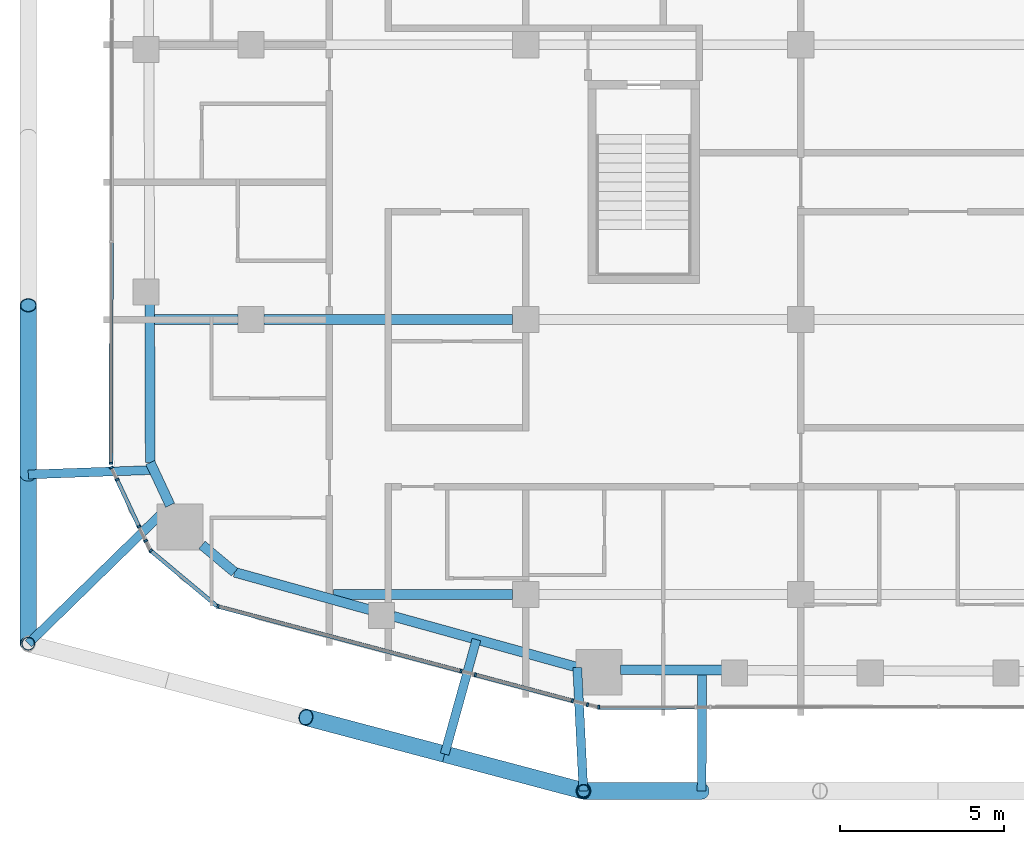
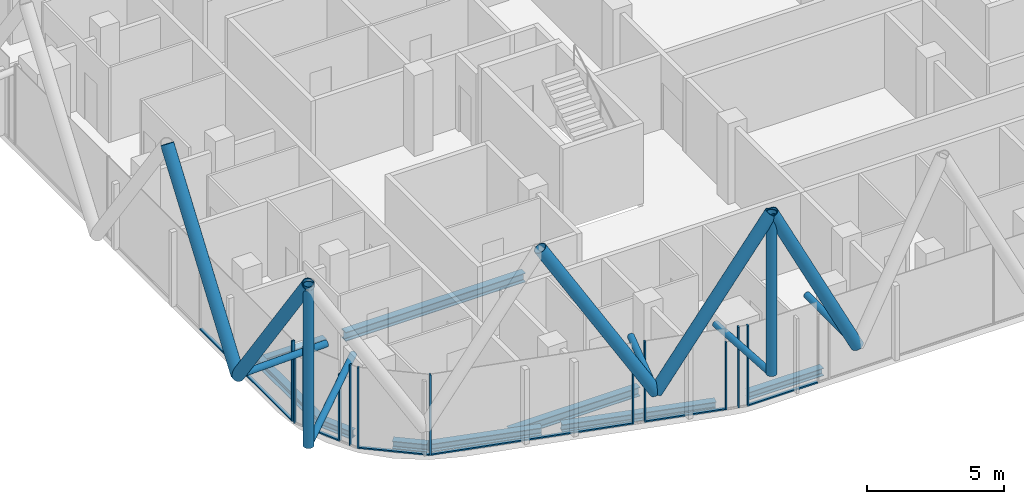
# One storey, part 2 of 31: 30 members, 9 beams, 12 elements without a shape of their own.
"""IFC4 building model written with IfcOpenShell, lengths in metres."""

from ifc_helpers import new_model, si_unit, direction, frame, origin, origin_2d, place, context, subcontext, project, spatial, rectangle, hollow_circle, i_section, extrude, material, layer, layer_set, material_profile, profile_set, type_object, element, aggregate, save


model = new_model("IFC4")

# Units and contexts
model_context = context("Model", 3, precision=1e-05, world=origin(), true_north=direction((0.0, 1.0)))
body_context = subcontext(model_context, "Body", "Model", "MODEL_VIEW")
ifc_project = project(units=[si_unit("LENGTHUNIT", "METRE"), si_unit("AREAUNIT", "SQUARE_METRE"), si_unit("VOLUMEUNIT", "CUBIC_METRE"), si_unit("PLANEANGLEUNIT", "RADIAN"), si_unit("MASSUNIT", "GRAM", prefix="KILO")], contexts=[model_context])

# Site, building, storey
site_placement = place(None, origin())
site = spatial("IfcSite", under=ifc_project, at=site_placement, CompositionType="ELEMENT")
building_placement = place(site_placement, origin())
building = spatial("IfcBuilding", under=site, at=building_placement, Name="Marenta Gate Hotel Tower", CompositionType="ELEMENT")
storey_placement = place(building_placement, frame((0.0, 0.0, 205.699951171875)))
storey = spatial("IfcBuildingStorey", under=building, at=storey_placement, Name="L47", CompositionType="ELEMENT", Elevation=205.699951171875)

# Members
ifc_material_1 = material(Name="Steel S355J2W", Category="steel")
ifc_material_profile_1 = material_profile(ifc_material_1, hollow_circle(Radius=0.203125, WallThickness=0.02490234375, at=origin_2d()), Name="CHS 406.4x25")
ifc_profile_set_1 = profile_set([ifc_material_profile_1], Name="Steel S355J2W")
member_type_1 = type_object("IfcMemberType", Name="Diagrid corner post Z3 CHS 406.4x25", PredefinedType="POST", material=ifc_profile_set_1)
for number, where, z_axis, x_axis, name in (
    (1, (-10.839111328125, -31.199951171875, 3.14013671875), (0.0, 0.0, 1.0), (1.0, 0.0, 0.0), "L47-DR-4"),
    (2, (-27.800048828125, -26.7001953125, 3.14013671875), (0.0, 0.0, 1.0), (1.0, 0.0, 0.0), "L47-DR-5"),
):
    element("IfcMember", number, at=place(storey_placement, frame(where, z_axis=z_axis, x_axis=x_axis)), inside=storey, type_object=member_type_1, Name=name, PredefinedType="POST", context=body_context, shape_type="SweptSolid", body=[
        extrude(hollow_circle(Radius=0.203125, WallThickness=0.02490234375, at=origin_2d()), origin(), (0.0, 0.0, 1.0), 7.199951171875),
    ])
ifc_material_2 = material(Name="Steel S355J2W", Category="steel")
ifc_material_profile_2 = material_profile(ifc_material_2, hollow_circle(Radius=0.25390625, WallThickness=0.02490234375, at=origin_2d()), Name="CHS 508x25")
ifc_profile_set_2 = profile_set([ifc_material_profile_2], Name="Steel S355J2W")
member_type_2 = type_object("IfcMemberType", Name="Diagrid diagonal Z3 CHS 508x25", PredefinedType="BRACE", material=ifc_profile_set_2)
member_1_placement = place(storey_placement, frame((-7.22607421875, -31.199951171875, 3.14013671875), z_axis=(-0.44851025603, 0.0, 0.893777685018), x_axis=(0.0, -1.0, 0.0)))
element("IfcMember", 3, at=member_1_placement, inside=storey, type_object=member_type_2, Name="L47-DG-20", PredefinedType="BRACE", context=body_context, shape_type="SweptSolid", body=[
    extrude(hollow_circle(Radius=0.25390625, WallThickness=0.02490234375, at=origin_2d()), origin(), (0.0, 0.0, 1.0), 8.0556640625),
])
for number, where, z_axis, x_axis, name in (
    (4, (-15.079345703125, -30.074951171875, 3.14013671875), (0.502924018666, -0.133433548941, 0.853968921838), (0.256443187528, 0.96655930577, 0.0), "L47-DG-21"),
    (5, (-15.079345703125, -30.074951171875, 3.14013671875), (-0.502925961678, 0.133405107407, 0.853972221087), (-0.256391194513, -0.966573098827, 0.0), "L47-DG-22"),
):
    element("IfcMember", number, at=place(storey_placement, frame(where, z_axis=z_axis, x_axis=x_axis)), inside=storey, type_object=member_type_2, Name=name, PredefinedType="BRACE", context=body_context, shape_type="SweptSolid", body=[
        extrude(hollow_circle(Radius=0.25390625, WallThickness=0.02490234375, at=origin_2d()), origin(), (0.0, 0.0, 1.0), 8.43115234375),
    ])
member_2_placement = place(storey_placement, frame((-27.800048828125, -21.530029296875, 3.14013671875), z_axis=(0.0, -0.583279014058, 0.812271870595), x_axis=(1.0, 0.0, 0.0)))
element("IfcMember", 6, at=member_2_placement, inside=storey, type_object=member_type_2, Name="L47-DG-25", PredefinedType="BRACE", context=body_context, shape_type="SweptSolid", body=[
    extrude(hollow_circle(Radius=0.25390625, WallThickness=0.02490234375, at=origin_2d()), origin(), (0.0, 0.0, 1.0), 8.864013671875),
])
member_3_placement = place(storey_placement, frame((-27.800048828125, -21.530029296875, 3.14013671875), z_axis=(0.0, 0.583260841117, 0.812284919975), x_axis=(-1.0, 0.0, 0.0)))
element("IfcMember", 7, at=member_3_placement, inside=storey, type_object=member_type_2, Name="L47-DG-26", PredefinedType="BRACE", context=body_context, shape_type="SweptSolid", body=[
    extrude(hollow_circle(Radius=0.25390625, WallThickness=0.02490234375, at=origin_2d()), origin(), (0.0, 0.0, 1.0), 8.86376953125),
])

# Beams
ifc_material_3 = material(Name="Steel S355", Category="steel")
ifc_material_profile_3 = material_profile(ifc_material_3, i_section(OverallWidth=0.300048828125, OverallDepth=0.340087890625, WebThickness=0.011962890625, FlangeThickness=0.021484375, FilletRadius=0.027099609375, at=origin_2d()), Name="HEB 340")
ifc_profile_set_3 = profile_set([ifc_material_profile_3], Name="Steel S355")
beam_type_1 = type_object("IfcBeamType", Name="Edge beam HEB 340", PredefinedType="SPANDREL", material=ifc_profile_set_3)
beam_1_placement = place(storey_placement, frame((-11.02783203125, -27.42236328125, -0.429931640625), z_axis=(-0.963619240724, 0.267278803699, 0.0), x_axis=(-0.267278803699, -0.963619240724, 0.0)))
element("IfcBeam", 8, at=beam_1_placement, inside=storey, type_object=beam_type_1, Name="L47-EB-1", PredefinedType="SPANDREL", context=body_context, shape_type="SweptSolid", body=[
    extrude(i_section(OverallWidth=0.300048828125, OverallDepth=0.340087890625, WebThickness=0.011962890625, FlangeThickness=0.021484375, FilletRadius=0.027099609375, at=origin_2d()), origin(), (0.0, 0.0, 1.0), 5.82958984375),
])
beam_2_placement = place(storey_placement, frame((-17.3681640625, -25.663818359375, -0.429931640625), z_axis=(-0.963628037304, 0.267247087396, 0.0), x_axis=(-0.267247087396, -0.963628037304, 0.0)))
element("IfcBeam", 9, at=beam_2_placement, inside=storey, type_object=beam_type_1, Name="L47-EB-2", PredefinedType="SPANDREL", context=body_context, shape_type="SweptSolid", body=[
    extrude(i_section(OverallWidth=0.300048828125, OverallDepth=0.340087890625, WebThickness=0.011962890625, FlangeThickness=0.021484375, FilletRadius=0.027099609375, at=origin_2d()), origin(), (0.0, 0.0, 1.0), 4.284423828125),
])
beam_3_placement = place(storey_placement, frame((-21.496826171875, -24.518798828125, -0.429931640625), z_axis=(-0.767065103149, 0.641569269472, 0.0), x_axis=(-0.641569269472, -0.767065103149, 0.0)))
element("IfcBeam", 10, at=beam_3_placement, inside=storey, type_object=beam_type_1, Name="L47-EB-3", PredefinedType="SPANDREL", context=body_context, shape_type="SweptSolid", body=[
    extrude(i_section(OverallWidth=0.300048828125, OverallDepth=0.340087890625, WebThickness=0.011962890625, FlangeThickness=0.021484375, FilletRadius=0.027099609375, at=origin_2d()), origin(), (0.0, 0.0, 1.0), 1.299560546875),
])
beam_4_placement = place(storey_placement, frame((-23.466796875, -22.46923828125, -0.429931640625), z_axis=(-0.423341112024, 0.905970365338, 0.0), x_axis=(-0.905970365338, -0.423341112024, 0.0)))
element("IfcBeam", 11, at=beam_4_placement, inside=storey, type_object=beam_type_1, Name="L47-EB-4", PredefinedType="SPANDREL", context=body_context, shape_type="SweptSolid", body=[
    extrude(i_section(OverallWidth=0.300048828125, OverallDepth=0.340087890625, WebThickness=0.011962890625, FlangeThickness=0.021484375, FilletRadius=0.027099609375, at=origin_2d()), origin(), (0.0, 0.0, 1.0), 1.437255859375),
])
beam_5_placement = place(storey_placement, frame((-24.0751953125, -21.167236328125, -0.429931640625), z_axis=(-0.003318732666, 0.999994492992, 0.0), x_axis=(-0.999994492992, -0.003318732666, 0.0)))
element("IfcBeam", 12, at=beam_5_placement, inside=storey, type_object=beam_type_1, Name="L47-EB-5", PredefinedType="SPANDREL", context=body_context, shape_type="SweptSolid", body=[
    extrude(i_section(OverallWidth=0.300048828125, OverallDepth=0.340087890625, WebThickness=0.011962890625, FlangeThickness=0.021484375, FilletRadius=0.027099609375, at=origin_2d()), origin(), (0.0, 0.0, 1.0), 4.855224609375),
])
beam_6_placement = place(storey_placement, frame((-6.580078125, -27.507568359375, -0.429931640625), z_axis=(-0.99999237665, 0.00390469495, 0.0), x_axis=(-0.00390469495, -0.99999237665, 0.0)))
element("IfcBeam", 13, at=beam_6_placement, inside=storey, type_object=beam_type_1, Name="L47-EB-36", PredefinedType="SPANDREL", context=body_context, shape_type="SweptSolid", body=[
    extrude(i_section(OverallWidth=0.300048828125, OverallDepth=0.340087890625, WebThickness=0.011962890625, FlangeThickness=0.021484375, FilletRadius=0.027099609375, at=origin_2d()), origin(), (0.0, 0.0, 1.0), 3.126220703125),
])

# Members
ifc_material_4 = material(Name="Steel S355J2W", Category="steel")
ifc_material_profile_4 = material_profile(ifc_material_4, hollow_circle(Radius=0.136474609375, WallThickness=0.012451171875, at=origin_2d()), Name="CHS 273x12.5")
ifc_profile_set_4 = profile_set([ifc_material_profile_4], Name="Steel S355J2W")
member_type_3 = type_object("IfcMemberType", Name="Floor tie CHS 273x12.5", PredefinedType="STRUT", material=ifc_profile_set_4)
member_4_placement = place(storey_placement, frame((-7.22607421875, -31.199951171875, 3.14013671875), z_axis=(0.00383848926, 0.999992632973, 0.0), x_axis=(-0.999992632973, 0.00383848926, 0.0)))
element("IfcMember", 14, at=member_4_placement, inside=storey, type_object=member_type_3, Name="L47-DR-15", PredefinedType="STRUT", context=body_context, shape_type="SweptSolid", body=[
    extrude(hollow_circle(Radius=0.136474609375, WallThickness=0.012451171875, at=origin_2d()), origin(), (0.0, 0.0, 1.0), 3.68896484375),
])
member_5_placement = place(storey_placement, frame((-10.839111328125, -31.199951171875, 3.14013671875), z_axis=(-0.049850547476, 0.998756688546, 0.0), x_axis=(-0.998756688546, -0.049850547476, 0.0)))
element("IfcMember", 15, at=member_5_placement, inside=storey, type_object=member_type_3, Name="L47-DR-16", PredefinedType="STRUT", context=body_context, shape_type="SweptSolid", body=[
    extrude(hollow_circle(Radius=0.136474609375, WallThickness=0.012451171875, at=origin_2d()), origin(), (0.0, 0.0, 1.0), 3.77587890625),
])
member_6_placement = place(storey_placement, frame((-15.079345703125, -30.074951171875, 3.14013671875), z_axis=(0.267266043372, 0.963622779961, 0.0), x_axis=(-0.963622779961, 0.267266043372, 0.0)))
element("IfcMember", 16, at=member_6_placement, inside=storey, type_object=member_type_3, Name="L47-DR-17", PredefinedType="STRUT", context=body_context, shape_type="SweptSolid", body=[
    extrude(hollow_circle(Radius=0.136474609375, WallThickness=0.012451171875, at=origin_2d()), origin(), (0.0, 0.0, 1.0), 3.6328125),
])
member_7_placement = place(storey_placement, frame((-27.800048828125, -26.7001953125, 3.14013671875), z_axis=(0.715510328178, 0.698602154499, 0.0), x_axis=(-0.698602154499, 0.715510328178, 0.0)))
element("IfcMember", 17, at=member_7_placement, inside=storey, type_object=member_type_3, Name="L47-DR-18", PredefinedType="STRUT", context=body_context, shape_type="SweptSolid", body=[
    extrude(hollow_circle(Radius=0.136474609375, WallThickness=0.012451171875, at=origin_2d()), origin(), (0.0, 0.0, 1.0), 6.050048828125),
])
member_8_placement = place(storey_placement, frame((-27.800048828125, -21.530029296875, 3.14013671875), z_axis=(0.999366101167, 0.035600503349, 0.0), x_axis=(-0.035600503349, 0.999366101167, 0.0)))
element("IfcMember", 18, at=member_8_placement, inside=storey, type_object=member_type_3, Name="L47-DR-19", PredefinedType="STRUT", context=body_context, shape_type="SweptSolid", body=[
    extrude(hollow_circle(Radius=0.136474609375, WallThickness=0.012451171875, at=origin_2d()), origin(), (0.0, 0.0, 1.0), 3.82666015625),
])

# Beams
ifc_material_5 = material(Name="Steel S355", Category="steel")
ifc_material_profile_5 = material_profile(ifc_material_5, i_section(OverallWidth=0.300048828125, OverallDepth=0.39990234375, WebThickness=0.013427734375, FlangeThickness=0.02392578125, FilletRadius=0.027099609375, at=origin_2d()), Name="HEB 400")
ifc_profile_set_5 = profile_set([ifc_material_profile_5], Name="Steel S355")
beam_type_2 = type_object("IfcBeamType", Name="Girder HEB 400", PredefinedType="BEAM", material=ifc_profile_set_5)
beam_7_placement = place(storey_placement, frame((-18.479248046875, -25.199951171875, -0.4599609375), z_axis=(1.0, 0.0, 0.0), x_axis=(0.0, 1.0, 0.0)))
element("IfcBeam", 19, at=beam_7_placement, inside=storey, type_object=beam_type_2, Name="L47-GD-1", PredefinedType="BEAM", context=body_context, shape_type="SweptSolid", body=[
    extrude(i_section(OverallWidth=0.300048828125, OverallDepth=0.39990234375, WebThickness=0.013427734375, FlangeThickness=0.02392578125, FilletRadius=0.027099609375, at=origin_2d()), origin(), (0.0, 0.0, 1.0), 5.479248046875),
])
beam_8_placement = place(storey_placement, frame((-23.939697265625, -16.800048828125, -0.4599609375), z_axis=(1.0, 0.0, 0.0), x_axis=(0.0, 1.0, 0.0)))
element("IfcBeam", 20, at=beam_8_placement, inside=storey, type_object=beam_type_2, Name="L47-GD-6", PredefinedType="BEAM", context=body_context, shape_type="SweptSolid", body=[
    extrude(i_section(OverallWidth=0.300048828125, OverallDepth=0.39990234375, WebThickness=0.013427734375, FlangeThickness=0.02392578125, FilletRadius=0.027099609375, at=origin_2d()), origin(), (0.0, 0.0, 1.0), 2.539794921875),
])
beam_9_placement = place(storey_placement, frame((-20.60009765625, -16.800048828125, -0.4599609375), z_axis=(1.0, 0.0, 0.0), x_axis=(0.0, 1.0, 0.0)))
element("IfcBeam", 21, at=beam_9_placement, inside=storey, type_object=beam_type_2, Name="L47-GD-7", PredefinedType="BEAM", context=body_context, shape_type="SweptSolid", body=[
    extrude(i_section(OverallWidth=0.300048828125, OverallDepth=0.39990234375, WebThickness=0.013427734375, FlangeThickness=0.02392578125, FilletRadius=0.027099609375, at=origin_2d()), origin(), (0.0, 0.0, 1.0), 7.60009765625),
])

# Curtain wall, member
ifc_material_6 = material(Name="Tinted insulated glass in bronze anodised frame", Category="glass")
ifc_layer = layer(ifc_material_6, 0.1201171875)
ifc_layer_set = layer_set([ifc_layer], Name="Tinted insulated glass in bronze anodised frame")
curtain_wall_type = type_object("IfcCurtainWallType", Name="Tower unitised curtain wall CW1", PredefinedType="NOTDEFINED", material=ifc_layer_set)
curtain_wall_1_placement = place(storey_placement, origin())
curtain_wall_1 = element("IfcCurtainWall", 22, at=curtain_wall_1_placement, inside=storey, type_object=curtain_wall_type, Name="CW1 run G08", PredefinedType="NOTDEFINED")
ifc_material_7 = material(Name="Bronze anodised aluminium", Category="aluminium")
ifc_material_profile_6 = material_profile(ifc_material_7, rectangle(XDim=0.1201171875, YDim=0.06005859375, at=origin_2d()), Name="Mullion CW1 60x120 bronze anodised aluminium")
ifc_profile_set_6 = profile_set([ifc_material_profile_6], Name="Bronze anodised aluminium")
member_type_4 = type_object("IfcMemberType", Name="Mullion CW1 60x120 bronze anodised aluminium", PredefinedType="MULLION", material=ifc_profile_set_6)
member_9_placement = place(storey_placement, frame((-25.27294921875, -21.18359375, 0.0), z_axis=(0.0, 0.0, 1.0), x_axis=(0.999998775932, -0.001564651623, 0.0)))
member_9 = element("IfcMember", 23, at=member_9_placement, type_object=member_type_4, Name="CW1 mullion 4", PredefinedType="MULLION", context=body_context, shape_type="SweptSolid", body=[
    extrude(rectangle(XDim=0.1201171875, YDim=0.06005859375, at=origin_2d()), origin(), (0.0, 0.0, 1.0), 3.60009765625),
])

curtain_wall_2_placement = place(storey_placement, origin())
curtain_wall_2 = element("IfcCurtainWall", 24, at=curtain_wall_2_placement, inside=storey, type_object=curtain_wall_type, Name="CW1 run G09", PredefinedType="NOTDEFINED")
member_10_placement = place(storey_placement, frame((-25.26025390625, -21.321044921875, 0.0), z_axis=(0.0, 0.0, 1.0), x_axis=(0.905968482447, 0.423345141478, 0.0)))
member_10 = element("IfcMember", 25, at=member_10_placement, type_object=member_type_4, Name="CW1 mullion 1", PredefinedType="MULLION", context=body_context, shape_type="SweptSolid", body=[
    extrude(rectangle(XDim=0.1201171875, YDim=0.06005859375, at=origin_2d()), origin(), (0.0, 0.0, 1.0), 3.00048828125),
])
aggregate(curtain_wall_2, [member_10])

curtain_wall_3_placement = place(storey_placement, origin())
curtain_wall_3 = element("IfcCurtainWall", 26, at=curtain_wall_3_placement, inside=storey, type_object=curtain_wall_type, Name="CW1 run G10", PredefinedType="NOTDEFINED")
member_11_placement = place(storey_placement, frame((-25.0888671875, -21.687744140625, 0.0), z_axis=(0.0, 0.0, 1.0), x_axis=(0.905976448707, 0.423328093078, 0.0)))
member_11 = element("IfcMember", 27, at=member_11_placement, type_object=member_type_4, Name="CW1 mullion 1", PredefinedType="MULLION", context=body_context, shape_type="SweptSolid", body=[
    extrude(rectangle(XDim=0.1201171875, YDim=0.06005859375, at=origin_2d()), origin(), (0.0, 0.0, 1.0), 3.60009765625),
])

curtain_wall_4_placement = place(storey_placement, origin())
curtain_wall_4 = element("IfcCurtainWall", 28, at=curtain_wall_4_placement, inside=storey, type_object=curtain_wall_type, Name="CW1 run G11", PredefinedType="NOTDEFINED")
member_12_placement = place(storey_placement, frame((-24.418701171875, -23.121826171875, 0.0), z_axis=(0.0, 0.0, 1.0), x_axis=(0.905948786251, 0.423387289241, 0.0)))
member_12 = element("IfcMember", 29, at=member_12_placement, type_object=member_type_4, Name="CW1 mullion 1", PredefinedType="MULLION", context=body_context, shape_type="SweptSolid", body=[
    extrude(rectangle(XDim=0.1201171875, YDim=0.06005859375, at=origin_2d()), origin(), (0.0, 0.0, 1.0), 3.00048828125),
])
aggregate(curtain_wall_4, [member_12])

curtain_wall_5_placement = place(storey_placement, origin())
curtain_wall_5 = element("IfcCurtainWall", 30, at=curtain_wall_5_placement, inside=storey, type_object=curtain_wall_type, Name="CW1 run G12", PredefinedType="NOTDEFINED")
member_13_placement = place(storey_placement, frame((-24.215576171875, -23.556640625, 0.0), z_axis=(0.0, 0.0, 1.0), x_axis=(0.905989668401, 0.423299800084, 0.0)))
member_13 = element("IfcMember", 31, at=member_13_placement, type_object=member_type_4, Name="CW1 mullion 1", PredefinedType="MULLION", context=body_context, shape_type="SweptSolid", body=[
    extrude(rectangle(XDim=0.1201171875, YDim=0.06005859375, at=origin_2d()), origin(), (0.0, 0.0, 1.0), 3.60009765625),
])
aggregate(curtain_wall_5, [member_13])

curtain_wall_6_placement = place(storey_placement, origin())
curtain_wall_6 = element("IfcCurtainWall", 32, at=curtain_wall_6_placement, inside=storey, type_object=curtain_wall_type, Name="CW1 run G13", PredefinedType="NOTDEFINED")
member_14_placement = place(storey_placement, frame((-24.059814453125, -23.85986328125, 0.0), z_axis=(0.0, 0.0, 1.0), x_axis=(0.641524739495, 0.767102345594, 0.0)))
member_14 = element("IfcMember", 33, at=member_14_placement, type_object=member_type_4, Name="CW1 mullion 1", PredefinedType="MULLION", context=body_context, shape_type="SweptSolid", body=[
    extrude(rectangle(XDim=0.1201171875, YDim=0.06005859375, at=origin_2d()), origin(), (0.0, 0.0, 1.0), 3.60009765625),
])

curtain_wall_7_placement = place(storey_placement, origin())
curtain_wall_7 = element("IfcCurtainWall", 34, at=curtain_wall_7_placement, inside=storey, type_object=curtain_wall_type, Name="CW1 run G14", PredefinedType="NOTDEFINED")
member_15_placement = place(storey_placement, frame((-22.00634765625, -25.560791015625, 0.0), z_axis=(0.0, 0.0, 1.0), x_axis=(0.257136207427, 0.966375170847, 0.0)))
member_15 = element("IfcMember", 35, at=member_15_placement, type_object=member_type_4, Name="CW1 mullion 1", PredefinedType="MULLION", context=body_context, shape_type="SweptSolid", body=[
    extrude(rectangle(XDim=0.1201171875, YDim=0.06005859375, at=origin_2d()), origin(), (0.0, 0.0, 1.0), 3.60009765625),
])

curtain_wall_8_placement = place(storey_placement, origin())
curtain_wall_8 = element("IfcCurtainWall", 36, at=curtain_wall_8_placement, inside=storey, type_object=curtain_wall_type, Name="CW1 run G15", PredefinedType="NOTDEFINED")
member_16_placement = place(storey_placement, frame((-14.579345703125, -27.537109375, 0.0), z_axis=(0.0, 0.0, 1.0), x_axis=(0.257154287199, 0.966370359942, 0.0)))
member_16 = element("IfcMember", 37, at=member_16_placement, type_object=member_type_4, Name="CW1 mullion 1", PredefinedType="MULLION", context=body_context, shape_type="SweptSolid", body=[
    extrude(rectangle(XDim=0.1201171875, YDim=0.06005859375, at=origin_2d()), origin(), (0.0, 0.0, 1.0), 3.00048828125),
])
aggregate(curtain_wall_8, [member_16])

curtain_wall_9_placement = place(storey_placement, origin())
curtain_wall_9 = element("IfcCurtainWall", 38, at=curtain_wall_9_placement, inside=storey, type_object=curtain_wall_type, Name="CW1 run G16", PredefinedType="NOTDEFINED")
member_17_placement = place(storey_placement, frame((-14.1416015625, -27.653564453125, 0.0), z_axis=(0.0, 0.0, 1.0), x_axis=(0.257117208999, 0.96638022581, 0.0)))
member_17 = element("IfcMember", 39, at=member_17_placement, type_object=member_type_4, Name="CW1 mullion 1", PredefinedType="MULLION", context=body_context, shape_type="SweptSolid", body=[
    extrude(rectangle(XDim=0.1201171875, YDim=0.06005859375, at=origin_2d()), origin(), (0.0, 0.0, 1.0), 3.60009765625),
])

curtain_wall_10_placement = place(storey_placement, origin())
curtain_wall_10 = element("IfcCurtainWall", 40, at=curtain_wall_10_placement, inside=storey, type_object=curtain_wall_type, Name="CW1 run G17", PredefinedType="NOTDEFINED")
member_18_placement = place(storey_placement, frame((-11.1748046875, -28.44287109375, 0.0), z_axis=(0.0, 0.0, 1.0), x_axis=(0.257099982864, 0.966384808868, 0.0)))
member_18 = element("IfcMember", 41, at=member_18_placement, type_object=member_type_4, Name="CW1 mullion 1", PredefinedType="MULLION", context=body_context, shape_type="SweptSolid", body=[
    extrude(rectangle(XDim=0.1201171875, YDim=0.06005859375, at=origin_2d()), origin(), (0.0, 0.0, 1.0), 3.00048828125),
])
aggregate(curtain_wall_10, [member_18])

curtain_wall_11_placement = place(storey_placement, origin())
curtain_wall_11 = element("IfcCurtainWall", 42, at=curtain_wall_11_placement, inside=storey, type_object=curtain_wall_type, Name="CW1 run G18", PredefinedType="NOTDEFINED")
member_19_placement = place(storey_placement, frame((-10.71533203125, -28.565185546875, 0.0), z_axis=(0.0, 0.0, 1.0), x_axis=(0.257431460974, 0.966296560535, 0.0)))
member_19 = element("IfcMember", 43, at=member_19_placement, type_object=member_type_4, Name="CW1 mullion 1", PredefinedType="MULLION", context=body_context, shape_type="SweptSolid", body=[
    extrude(rectangle(XDim=0.1201171875, YDim=0.06005859375, at=origin_2d()), origin(), (0.0, 0.0, 1.0), 3.60009765625),
])
aggregate(curtain_wall_11, [member_19])

curtain_wall_12_placement = place(storey_placement, origin())
curtain_wall_12 = element("IfcCurtainWall", 44, at=curtain_wall_12_placement, inside=storey, type_object=curtain_wall_type, Name="CW1 run G19", PredefinedType="NOTDEFINED")
member_20_placement = place(storey_placement, frame((-10.3759765625, -28.6474609375, 0.0), z_axis=(0.0, 0.0, 1.0), x_axis=(-0.001653559645, 0.999998632869, 0.0)))
member_20 = element("IfcMember", 45, at=member_20_placement, type_object=member_type_4, Name="CW1 mullion 1", PredefinedType="MULLION", context=body_context, shape_type="SweptSolid", body=[
    extrude(rectangle(XDim=0.1201171875, YDim=0.06005859375, at=origin_2d()), origin(), (0.0, 0.0, 1.0), 3.60009765625),
])

# Member
ifc_material_8 = material(Name="Bronze anodised aluminium", Category="aluminium")
ifc_material_profile_7 = material_profile(ifc_material_8, rectangle(XDim=0.1201171875, YDim=0.06005859375, at=origin_2d()), Name="Transom CW1 60x120 bronze anodised aluminium")
ifc_profile_set_7 = profile_set([ifc_material_profile_7], Name="Bronze anodised aluminium")
member_type_5 = type_object("IfcMemberType", Name="Transom CW1 60x120 bronze anodised aluminium", PredefinedType="USERDEFINED", material=ifc_profile_set_7)
member_21_placement = place(storey_placement, frame((-25.26220703125, -14.447509765625, 0.030029296875), z_axis=(-0.001565456069, -0.999998774673, 0.0), x_axis=(0.999998774673, -0.001565456069, 0.0)))
member_21 = element("IfcMember", 46, at=member_21_placement, type_object=member_type_5, Name="CW1 transom 3.1", ObjectType="TRANSOM", PredefinedType="USERDEFINED", context=body_context, shape_type="SweptSolid", body=[
    extrude(rectangle(XDim=0.1201171875, YDim=0.06005859375, at=origin_2d()), origin(), (0.0, 0.0, 1.0), 6.7060546875),
])

aggregate(curtain_wall_1, [member_9, member_21])

member_22_placement = place(storey_placement, frame((-25.076171875, -21.71484375, 0.030029296875), z_axis=(0.423332946219, -0.905974181004, 0.0), x_axis=(0.905974181004, 0.423332946219, 0.0)))
member_22 = element("IfcMember", 47, at=member_22_placement, type_object=member_type_5, Name="CW1 transom 1.1", ObjectType="TRANSOM", PredefinedType="USERDEFINED", context=body_context, shape_type="SweptSolid", body=[
    extrude(rectangle(XDim=0.1201171875, YDim=0.06005859375, at=origin_2d()), origin(), (0.0, 0.0, 1.0), 1.523193359375),
])

aggregate(curtain_wall_3, [member_11, member_22])

member_23_placement = place(storey_placement, frame((-24.036865234375, -23.879150390625, 0.030029296875), z_axis=(0.767100312603, -0.641527170433, 0.0), x_axis=(0.641527170433, 0.767100312603, 0.0)))
member_23 = element("IfcMember", 48, at=member_23_placement, type_object=member_type_5, Name="CW1 transom 1.1", ObjectType="TRANSOM", PredefinedType="USERDEFINED", context=body_context, shape_type="SweptSolid", body=[
    extrude(rectangle(XDim=0.1201171875, YDim=0.06005859375, at=origin_2d()), origin(), (0.0, 0.0, 1.0), 2.609130859375),
])

aggregate(curtain_wall_6, [member_14, member_23])

member_24_placement = place(storey_placement, frame((-21.977294921875, -25.568603515625, 0.030029296875), z_axis=(0.966376678681, -0.257130540585, 0.0), x_axis=(0.257130540585, 0.966376678681, 0.0)))
member_24 = element("IfcMember", 49, at=member_24_placement, type_object=member_type_5, Name="CW1 transom 1.1", ObjectType="TRANSOM", PredefinedType="USERDEFINED", context=body_context, shape_type="SweptSolid", body=[
    extrude(rectangle(XDim=0.1201171875, YDim=0.06005859375, at=origin_2d()), origin(), (0.0, 0.0, 1.0), 7.625244140625),
])

aggregate(curtain_wall_7, [member_15, member_24])

member_25_placement = place(storey_placement, frame((-14.112548828125, -27.6611328125, 0.030029296875), z_axis=(0.966377496027, -0.257127468726, 0.0), x_axis=(0.257127468726, 0.966377496027, 0.0)))
member_25 = element("IfcMember", 50, at=member_25_placement, type_object=member_type_5, Name="CW1 transom 1.1", ObjectType="TRANSOM", PredefinedType="USERDEFINED", context=body_context, shape_type="SweptSolid", body=[
    extrude(rectangle(XDim=0.1201171875, YDim=0.06005859375, at=origin_2d()), origin(), (0.0, 0.0, 1.0), 3.010009765625),
])

aggregate(curtain_wall_9, [member_17, member_25])

member_26_placement = place(storey_placement, frame((-10.345947265625, -28.6474609375, 0.030029296875), z_axis=(0.999998585773, 0.001681800514, 0.0), x_axis=(-0.001681800514, 0.999998585773, 0.0)))
member_26 = element("IfcMember", 51, at=member_26_placement, type_object=member_type_5, Name="CW1 transom 1.1", ObjectType="TRANSOM", PredefinedType="USERDEFINED", context=body_context, shape_type="SweptSolid", body=[
    extrude(rectangle(XDim=0.1201171875, YDim=0.06005859375, at=origin_2d()), origin(), (0.0, 0.0, 1.0), 2.9033203125),
])

aggregate(curtain_wall_12, [member_20, member_26])

save(model, "model.ifc")
